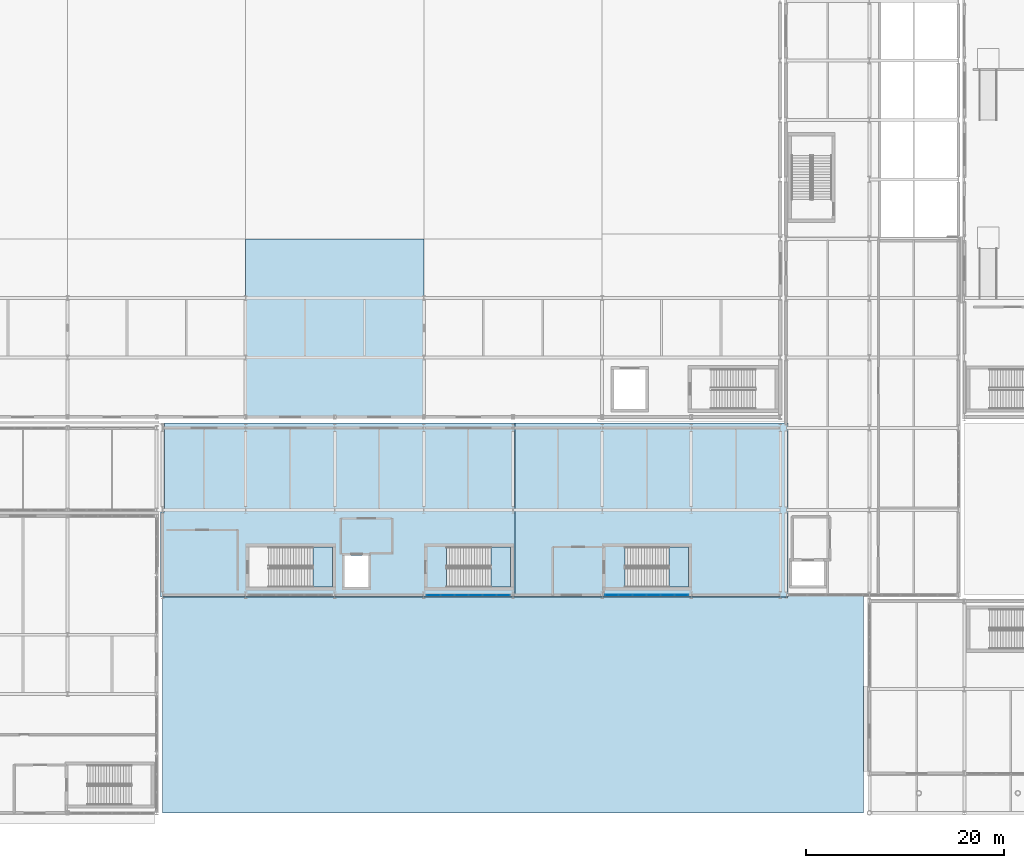
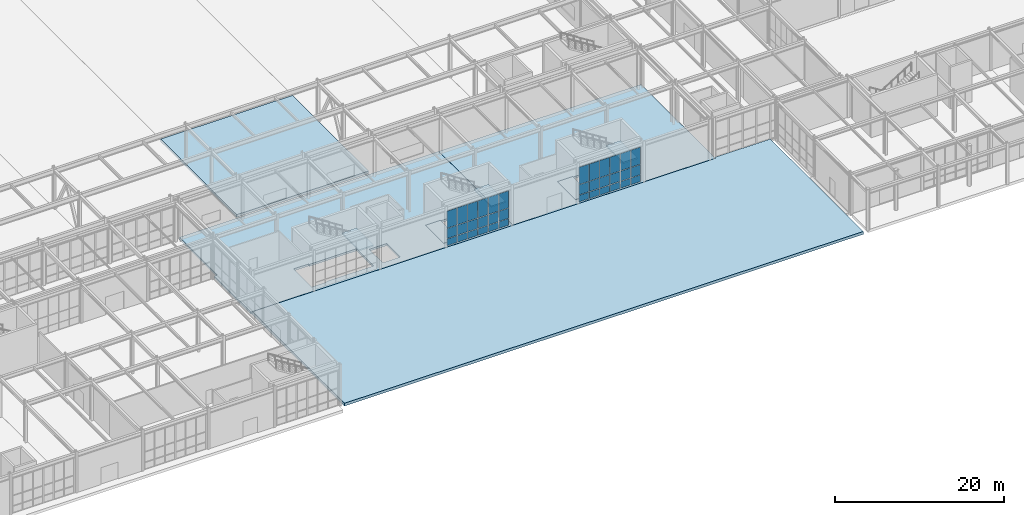
# One storey, part 108 of 146: 36 plates, 9 slabs, 5 elements without a shape of their own.
"""IFC4 building model written with IfcOpenShell, lengths in metres."""

import ifcopenshell
import ifcopenshell.guid

model = None  # the IFC model being written
_history = None  # IfcOwnerHistory: only IFC2X3 demands one
_inside = {}  # id of a spatial element -> (the spatial element, [elements in it])
_under = {}  # id of a project, library or spatial element -> (it, [spatial elements below it])
_declared = {}  # id of a project -> (the project, [libraries it declares])
_typed = {}  # id of a type object -> (the type object, [elements of that type])
_made_of = {}  # id of a material, layer set ... -> (it, [elements and type objects made of it])


def new_model(schema):
    """Start an empty IFC model of exactly this schema.

    Asked for "IFC4X3", IfcOpenShell would pick the latest addendum, in which some entities
    have other attributes; the version numbers below select the first issue.
    IFC2X3 requires an IfcOwnerHistory on every rooted entity: one is made here for all.
    """
    global model, _history
    if schema == "IFC4X3":
        model = ifcopenshell.file(schema_version=(4, 3, 0, 0))
    else:
        model = ifcopenshell.file(schema=schema)
    _inside.clear()
    _under.clear()
    _declared.clear()
    _typed.clear()
    _made_of.clear()
    _history = None
    if model.schema == "IFC2X3":
        org = make("IfcOrganization", Name="unknown")
        user = make(
            "IfcPersonAndOrganization",
            ThePerson=make("IfcPerson", FamilyName="unknown"),
            TheOrganization=org,
        )
        app = make(
            "IfcApplication",
            ApplicationDeveloper=org,
            Version="unknown",
            ApplicationFullName="unknown",
            ApplicationIdentifier="unknown",
        )
        _history = make(
            "IfcOwnerHistory",
            OwningUser=user,
            OwningApplication=app,
            ChangeAction="ADDED",
            CreationDate=0,
        )
    return model


def make(cls, **values):
    """One entity of the class cls with the attributes given. An attribute that is None is left unset."""
    return model.create_entity(
        cls, **{name: value for name, value in values.items() if value is not None}
    )


def rooted(cls, **values):
    """An entity with a GlobalId (a new one), such as an element, a storey or a relation."""
    return make(cls, GlobalId=ifcopenshell.guid.new(), OwnerHistory=_history, **values)


def si_unit(unit_type, name, prefix=None):
    """IfcSIUnit, for example si_unit("LENGTHUNIT", "METRE", prefix="MILLI")."""
    return make("IfcSIUnit", UnitType=unit_type, Prefix=prefix, Name=name)


def assignment(units):
    """IfcUnitAssignment: the units of a project."""
    return None if units is None else make("IfcUnitAssignment", Units=units)


def point(xyz):
    """IfcCartesianPoint."""
    return None if xyz is None else make("IfcCartesianPoint", Coordinates=xyz)


def direction(xyz):
    """IfcDirection."""
    return None if xyz is None else make("IfcDirection", DirectionRatios=xyz)


def frame(location, z_axis=None, x_axis=None):
    """IfcAxis2Placement3D, a coordinate frame: its origin and axes. An axis left out is left unset."""
    return make(
        "IfcAxis2Placement3D",
        Location=point(location),
        Axis=direction(z_axis),
        RefDirection=direction(x_axis),
    )


def frame_2d(location, x_axis=None):
    """IfcAxis2Placement2D, a coordinate frame in the plane: its origin and x axis."""
    return make(
        "IfcAxis2Placement2D", Location=point(location), RefDirection=direction(x_axis)
    )


def origin():
    """The frame at (0, 0, 0) with its axes left unset."""
    return frame((0.0, 0.0, 0.0))


def origin_2d():
    """The frame at (0, 0) in the plane with its x axis left unset."""
    return frame_2d((0.0, 0.0))


def place(relative_to, where):
    """IfcLocalPlacement: puts the frame where relative to a parent placement (None: the world)."""
    return make(
        "IfcLocalPlacement", PlacementRelTo=relative_to, RelativePlacement=where
    )


def context(
    kind, dimensions, precision=None, world=None, true_north=None, identifier=None
):
    """IfcGeometricRepresentationContext, for example the 3D "Model" context."""
    return make(
        "IfcGeometricRepresentationContext",
        ContextIdentifier=identifier,
        ContextType=kind,
        CoordinateSpaceDimension=dimensions,
        Precision=precision,
        WorldCoordinateSystem=world,
        TrueNorth=true_north,
    )


def subcontext(parent, identifier, kind, view, scale=None):
    """IfcGeometricRepresentationSubContext, for example "Body" below "Model"."""
    return make(
        "IfcGeometricRepresentationSubContext",
        ContextIdentifier=identifier,
        ContextType=kind,
        ParentContext=parent,
        TargetScale=scale,
        TargetView=view,
    )


def project(units=None, contexts=None):
    """IfcProject with its units and contexts."""
    return rooted(
        "IfcProject",
        Name="project",
        RepresentationContexts=contexts,
        UnitsInContext=assignment(units),
    )


def spatial(cls, under=None, at=None, **own):
    """A site, building, storey or space (cls), placed at a placement, below another one or the project."""
    s = rooted(cls, ObjectPlacement=at, **own)
    if under is not None:
        _under.setdefault(under.id(), (under, []))[1].append(s)
    return s


def polyline(points):
    """IfcPolyline through the points."""
    return make("IfcPolyline", Points=[point(p) for p in points])


def profile(cls, at=None, kind="AREA", **sizes):
    """A parametric profile (cls). Its sizes go by their IFC names, for example OverallWidth=200.0."""
    return make(cls, ProfileType=kind, Position=at, **sizes)


def rectangle(**sizes):
    """IfcRectangleProfileDef."""
    return profile("IfcRectangleProfileDef", **sizes)


def outline(outer, holes=None, kind="AREA"):
    """IfcArbitraryClosedProfileDef: a profile drawn as a closed curve; with holes, ...WithVoids."""
    if holes is None:
        return make("IfcArbitraryClosedProfileDef", ProfileType=kind, OuterCurve=outer)
    return make(
        "IfcArbitraryProfileDefWithVoids",
        ProfileType=kind,
        OuterCurve=outer,
        InnerCurves=holes,
    )


def extrude(swept, where, along, depth):
    """IfcExtrudedAreaSolid: the profile swept, set in the frame where, extruded along a direction by depth."""
    return make(
        "IfcExtrudedAreaSolid",
        SweptArea=swept,
        Position=where,
        ExtrudedDirection=direction(along),
        Depth=depth,
    )


def shape(context_of_items, identifier, shape_type, items):
    """IfcShapeRepresentation: the items that make up one representation, for example the "Body"."""
    return make(
        "IfcShapeRepresentation",
        ContextOfItems=context_of_items,
        RepresentationIdentifier=identifier,
        RepresentationType=shape_type,
        Items=items,
    )


def material(Name=None, Category=None):
    """IfcMaterial."""
    return make("IfcMaterial", Name=Name, Category=Category)


def layer(
    of_material, thickness, ventilated=None, Name=None, Category=None, Priority=None
):
    """IfcMaterialLayer: one layer of a wall or slab, of a material (None: an air gap)."""
    return make(
        "IfcMaterialLayer",
        Material=of_material,
        LayerThickness=thickness,
        IsVentilated=ventilated,
        Name=Name,
        Category=Category,
        Priority=Priority,
    )


def layer_set(layers, Name=None):
    """IfcMaterialLayerSet."""
    return make("IfcMaterialLayerSet", MaterialLayers=layers, LayerSetName=Name)


def made_of(thing, what):
    """Note that an element or type object is made of a material, layer set ...; save() writes the relation."""
    if what is not None:
        _made_of.setdefault(what.id(), (what, []))[1].append(thing)
    return thing


def type_object(cls, material=None, **own):
    """A type object (cls), such as IfcWallType, which elements share."""
    return made_of(rooted(cls, **own), material)


def element(
    cls,
    number,
    at=None,
    inside=None,
    cuts=None,
    type_object=None,
    material=None,
    context=None,
    identifier="Body",
    shape_type=None,
    held_by="IfcProductDefinitionShape",
    body=None,
    shapes=None,
    **own,
):
    """One element of the class cls, such as IfcWall. Its Tag is "e" and its number.

    at: its placement. inside: the storey or other place that contains it. cuts: it is an
    opening in that element (IfcRelVoidsElement). A single representation is given by context,
    identifier, shape_type and body (its items); several are given by shapes. held_by: the class
    of the entity that holds the representations. save() writes the other relations.
    """
    e = rooted(cls, Tag="e%d" % number, ObjectPlacement=at, **own)
    if body is not None:
        shapes = [shape(context, identifier, shape_type, body)]
    if shapes is not None:
        e.Representation = make(held_by, Representations=shapes)
    if inside is not None:
        _inside.setdefault(inside.id(), (inside, []))[1].append(e)
    if cuts is not None:
        rooted(
            "IfcRelVoidsElement", RelatingBuildingElement=cuts, RelatedOpeningElement=e
        )
    if type_object is not None:
        _typed.setdefault(type_object.id(), (type_object, []))[1].append(e)
    return made_of(e, material)


def aggregate(whole, parts):
    """IfcRelAggregates: a whole, such as a stair, and the parts it consists of."""
    return rooted("IfcRelAggregates", RelatingObject=whole, RelatedObjects=parts)


def save(model, path):
    """Write the relations noted so far, then the file.

    IfcRelAggregates (storeys below a building ...), IfcRelContainedInSpatialStructure (elements
    in a storey), IfcRelDefinesByType, IfcRelAssociatesMaterial and IfcRelDeclares: one each for
    every whole, place, type object, material and project.
    """
    for whole, parts in _under.values():
        aggregate(whole, parts)
    for where, things in _inside.values():
        rooted(
            "IfcRelContainedInSpatialStructure",
            RelatedElements=things,
            RelatingStructure=where,
        )
    for kind, things in _typed.values():
        rooted("IfcRelDefinesByType", RelatedObjects=things, RelatingType=kind)
    for what, things in _made_of.values():
        rooted("IfcRelAssociatesMaterial", RelatedObjects=things, RelatingMaterial=what)
    for by, libraries in _declared.values():
        rooted("IfcRelDeclares", RelatingContext=by, RelatedDefinitions=libraries)
    model.write(path)


model = new_model("IFC4")

# Units and contexts
model_context = context("Model", 3, precision=1e-05, world=origin(), true_north=direction((0.0, 1.0)))
body_context = subcontext(model_context, "Body", "Model", "MODEL_VIEW")
ifc_project = project(units=[si_unit("LENGTHUNIT", "METRE"), si_unit("AREAUNIT", "SQUARE_METRE"), si_unit("VOLUMEUNIT", "CUBIC_METRE"), si_unit("PLANEANGLEUNIT", "RADIAN"), si_unit("MASSUNIT", "GRAM", prefix="KILO")], contexts=[model_context])

# Site, building, storey
site_placement = place(None, origin())
site = spatial("IfcSite", under=ifc_project, at=site_placement, CompositionType="ELEMENT")
building_placement = place(site_placement, origin())
building = spatial("IfcBuilding", under=site, at=building_placement, Name="Kaldris Quays Convention Centre", CompositionType="ELEMENT")
storey_placement = place(building_placement, origin())
storey = spatial("IfcBuildingStorey", under=building, at=storey_placement, Name="L00", CompositionType="ELEMENT", Elevation=0.0)

# Curtain wall, plates
ifc_material_1 = material(Name="Anodized aluminium AW-6060 and triple glazing", Category="aluminium")
curtain_wall_type = type_object("IfcCurtainWallType", Name="UNITISED CURTAIN WALL CW04", PredefinedType="NOTDEFINED", material=ifc_material_1)
curtain_wall_1_placement = place(storey_placement, origin())
curtain_wall_1 = element("IfcCurtainWall", 1, at=curtain_wall_1_placement, inside=storey, type_object=curtain_wall_type, Name="L00 Unitised Curtain Wall CW04 105", PredefinedType="NOTDEFINED")
ifc_material_2 = material(Name="Triple low-E insulated glazing", Category="glass")
plate_type_1 = type_object("IfcPlateType", Name="CURTAIN GLAZING PANEL CWP1", PredefinedType="CURTAIN_PANEL", material=ifc_material_2)
plate_1_placement = place(storey_placement, frame((110.973388671875, 38.0, 0.06005859375), z_axis=(0.0, 0.0, 1.0), x_axis=(1.0, 0.0, 0.0)))
plate_1 = element("IfcPlate", 2, at=plate_1_placement, type_object=plate_type_1, Name="CW04 panel 1.1", PredefinedType="CURTAIN_PANEL", context=body_context, shape_type="SweptSolid", body=[
    extrude(rectangle(XDim=1.32666015625, YDim=0.029052734375, at=origin_2d()), origin(), (0.0, 0.0, 1.0), 0.9599609375),
])
plate_2_placement = place(storey_placement, frame((110.973388671875, 38.0, 1.080078125), z_axis=(0.0, 0.0, 1.0), x_axis=(1.0, 0.0, 0.0)))
plate_2 = element("IfcPlate", 3, at=plate_2_placement, type_object=plate_type_1, Name="CW04 panel 1.2", PredefinedType="CURTAIN_PANEL", context=body_context, shape_type="SweptSolid", body=[
    extrude(rectangle(XDim=1.32666015625, YDim=0.029052734375, at=origin_2d()), origin(), (0.0, 0.0, 1.0), 1.43896484375),
])
plate_3_placement = place(storey_placement, frame((110.973388671875, 38.0, 2.5791015625), z_axis=(0.0, 0.0, 1.0), x_axis=(1.0, 0.0, 0.0)))
plate_3 = element("IfcPlate", 4, at=plate_3_placement, type_object=plate_type_1, Name="CW04 panel 1.3", PredefinedType="CURTAIN_PANEL", context=body_context, shape_type="SweptSolid", body=[
    extrude(rectangle(XDim=1.32666015625, YDim=0.029052734375, at=origin_2d()), origin(), (0.0, 0.0, 1.0), 2.458984375),
])
plate_4_placement = place(storey_placement, frame((112.375, 38.0, 0.06005859375), z_axis=(0.0, 0.0, 1.0), x_axis=(1.0, 0.0, 0.0)))
plate_4 = element("IfcPlate", 5, at=plate_4_placement, type_object=plate_type_1, Name="CW04 panel 2.1", PredefinedType="CURTAIN_PANEL", context=body_context, shape_type="SweptSolid", body=[
    extrude(rectangle(XDim=1.356689453125, YDim=0.029052734375, at=origin_2d()), origin(), (0.0, 0.0, 1.0), 0.9599609375),
])
plate_5_placement = place(storey_placement, frame((112.375, 38.0, 1.080078125), z_axis=(0.0, 0.0, 1.0), x_axis=(1.0, 0.0, 0.0)))
plate_5 = element("IfcPlate", 6, at=plate_5_placement, type_object=plate_type_1, Name="CW04 panel 2.2", PredefinedType="CURTAIN_PANEL", context=body_context, shape_type="SweptSolid", body=[
    extrude(rectangle(XDim=1.356689453125, YDim=0.029052734375, at=origin_2d()), origin(), (0.0, 0.0, 1.0), 1.43896484375),
])
plate_6_placement = place(storey_placement, frame((112.375, 38.0, 2.5791015625), z_axis=(0.0, 0.0, 1.0), x_axis=(1.0, 0.0, 0.0)))
plate_6 = element("IfcPlate", 7, at=plate_6_placement, type_object=plate_type_1, Name="CW04 panel 2.3", PredefinedType="CURTAIN_PANEL", context=body_context, shape_type="SweptSolid", body=[
    extrude(rectangle(XDim=1.356689453125, YDim=0.029052734375, at=origin_2d()), origin(), (0.0, 0.0, 1.0), 2.458984375),
])
plate_7_placement = place(storey_placement, frame((113.791748046875, 38.0, 0.06005859375), z_axis=(0.0, 0.0, 1.0), x_axis=(1.0, 0.0, 0.0)))
plate_7 = element("IfcPlate", 8, at=plate_7_placement, type_object=plate_type_1, Name="CW04 panel 3.1", PredefinedType="CURTAIN_PANEL", context=body_context, shape_type="SweptSolid", body=[
    extrude(rectangle(XDim=1.356689453125, YDim=0.029052734375, at=origin_2d()), origin(), (0.0, 0.0, 1.0), 0.9599609375),
])
plate_8_placement = place(storey_placement, frame((113.791748046875, 38.0, 1.080078125), z_axis=(0.0, 0.0, 1.0), x_axis=(1.0, 0.0, 0.0)))
plate_8 = element("IfcPlate", 9, at=plate_8_placement, type_object=plate_type_1, Name="CW04 panel 3.2", PredefinedType="CURTAIN_PANEL", context=body_context, shape_type="SweptSolid", body=[
    extrude(rectangle(XDim=1.356689453125, YDim=0.029052734375, at=origin_2d()), origin(), (0.0, 0.0, 1.0), 1.43896484375),
])
plate_9_placement = place(storey_placement, frame((113.791748046875, 38.0, 2.5791015625), z_axis=(0.0, 0.0, 1.0), x_axis=(1.0, 0.0, 0.0)))
plate_9 = element("IfcPlate", 10, at=plate_9_placement, type_object=plate_type_1, Name="CW04 panel 3.3", PredefinedType="CURTAIN_PANEL", context=body_context, shape_type="SweptSolid", body=[
    extrude(rectangle(XDim=1.356689453125, YDim=0.029052734375, at=origin_2d()), origin(), (0.0, 0.0, 1.0), 2.458984375),
])
plate_10_placement = place(storey_placement, frame((115.208251953125, 38.0, 0.06005859375), z_axis=(0.0, 0.0, 1.0), x_axis=(1.0, 0.0, 0.0)))
plate_10 = element("IfcPlate", 11, at=plate_10_placement, type_object=plate_type_1, Name="CW04 panel 4.1", PredefinedType="CURTAIN_PANEL", context=body_context, shape_type="SweptSolid", body=[
    extrude(rectangle(XDim=1.356689453125, YDim=0.029052734375, at=origin_2d()), origin(), (0.0, 0.0, 1.0), 0.9599609375),
])
plate_11_placement = place(storey_placement, frame((115.208251953125, 38.0, 1.080078125), z_axis=(0.0, 0.0, 1.0), x_axis=(1.0, 0.0, 0.0)))
plate_11 = element("IfcPlate", 12, at=plate_11_placement, type_object=plate_type_1, Name="CW04 panel 4.2", PredefinedType="CURTAIN_PANEL", context=body_context, shape_type="SweptSolid", body=[
    extrude(rectangle(XDim=1.356689453125, YDim=0.029052734375, at=origin_2d()), origin(), (0.0, 0.0, 1.0), 1.43896484375),
])
plate_12_placement = place(storey_placement, frame((115.208251953125, 38.0, 2.5791015625), z_axis=(0.0, 0.0, 1.0), x_axis=(1.0, 0.0, 0.0)))
plate_12 = element("IfcPlate", 13, at=plate_12_placement, type_object=plate_type_1, Name="CW04 panel 4.3", PredefinedType="CURTAIN_PANEL", context=body_context, shape_type="SweptSolid", body=[
    extrude(rectangle(XDim=1.356689453125, YDim=0.029052734375, at=origin_2d()), origin(), (0.0, 0.0, 1.0), 2.458984375),
])
plate_13_placement = place(storey_placement, frame((116.625, 38.0, 0.06005859375), z_axis=(0.0, 0.0, 1.0), x_axis=(1.0, 0.0, 0.0)))
plate_13 = element("IfcPlate", 14, at=plate_13_placement, type_object=plate_type_1, Name="CW04 panel 5.1", PredefinedType="CURTAIN_PANEL", context=body_context, shape_type="SweptSolid", body=[
    extrude(rectangle(XDim=1.356689453125, YDim=0.029052734375, at=origin_2d()), origin(), (0.0, 0.0, 1.0), 0.9599609375),
])
plate_14_placement = place(storey_placement, frame((116.625, 38.0, 1.080078125), z_axis=(0.0, 0.0, 1.0), x_axis=(1.0, 0.0, 0.0)))
plate_14 = element("IfcPlate", 15, at=plate_14_placement, type_object=plate_type_1, Name="CW04 panel 5.2", PredefinedType="CURTAIN_PANEL", context=body_context, shape_type="SweptSolid", body=[
    extrude(rectangle(XDim=1.356689453125, YDim=0.029052734375, at=origin_2d()), origin(), (0.0, 0.0, 1.0), 1.43896484375),
])
plate_15_placement = place(storey_placement, frame((116.625, 38.0, 2.5791015625), z_axis=(0.0, 0.0, 1.0), x_axis=(1.0, 0.0, 0.0)))
plate_15 = element("IfcPlate", 16, at=plate_15_placement, type_object=plate_type_1, Name="CW04 panel 5.3", PredefinedType="CURTAIN_PANEL", context=body_context, shape_type="SweptSolid", body=[
    extrude(rectangle(XDim=1.356689453125, YDim=0.029052734375, at=origin_2d()), origin(), (0.0, 0.0, 1.0), 2.458984375),
])
plate_16_placement = place(storey_placement, frame((118.026611328125, 38.0, 0.06005859375), z_axis=(0.0, 0.0, 1.0), x_axis=(1.0, 0.0, 0.0)))
plate_16 = element("IfcPlate", 17, at=plate_16_placement, type_object=plate_type_1, Name="CW04 panel 6.1", PredefinedType="CURTAIN_PANEL", context=body_context, shape_type="SweptSolid", body=[
    extrude(rectangle(XDim=1.32666015625, YDim=0.029052734375, at=origin_2d()), origin(), (0.0, 0.0, 1.0), 0.9599609375),
])
plate_17_placement = place(storey_placement, frame((118.026611328125, 38.0, 1.080078125), z_axis=(0.0, 0.0, 1.0), x_axis=(1.0, 0.0, 0.0)))
plate_17 = element("IfcPlate", 18, at=plate_17_placement, type_object=plate_type_1, Name="CW04 panel 6.2", PredefinedType="CURTAIN_PANEL", context=body_context, shape_type="SweptSolid", body=[
    extrude(rectangle(XDim=1.32666015625, YDim=0.029052734375, at=origin_2d()), origin(), (0.0, 0.0, 1.0), 1.43896484375),
])
plate_18_placement = place(storey_placement, frame((118.026611328125, 38.0, 2.5791015625), z_axis=(0.0, 0.0, 1.0), x_axis=(1.0, 0.0, 0.0)))
plate_18 = element("IfcPlate", 19, at=plate_18_placement, type_object=plate_type_1, Name="CW04 panel 6.3", PredefinedType="CURTAIN_PANEL", context=body_context, shape_type="SweptSolid", body=[
    extrude(rectangle(XDim=1.32666015625, YDim=0.029052734375, at=origin_2d()), origin(), (0.0, 0.0, 1.0), 2.458984375),
])
aggregate(curtain_wall_1, [plate_1, plate_2, plate_3, plate_4, plate_5, plate_6, plate_7, plate_8, plate_9, plate_10, plate_11, plate_12, plate_13, plate_14, plate_15, plate_16, plate_17, plate_18])

curtain_wall_2_placement = place(storey_placement, origin())
curtain_wall_2 = element("IfcCurtainWall", 20, at=curtain_wall_2_placement, inside=storey, type_object=curtain_wall_type, Name="L00 Unitised Curtain Wall CW04 106", PredefinedType="NOTDEFINED")
plate_type_2 = type_object("IfcPlateType", Name="CURTAIN GLAZING PANEL CWP2", PredefinedType="CURTAIN_PANEL", material=ifc_material_2)
plate_19_placement = place(storey_placement, frame((128.973388671875, 38.0, 0.06005859375), z_axis=(0.0, 0.0, 1.0), x_axis=(1.0, 0.0, 0.0)))
plate_19 = element("IfcPlate", 21, at=plate_19_placement, type_object=plate_type_2, Name="CW04 panel 1.1", PredefinedType="CURTAIN_PANEL", context=body_context, shape_type="SweptSolid", body=[
    extrude(rectangle(XDim=1.32666015625, YDim=0.033935546875, at=origin_2d()), origin(), (0.0, 0.0, 1.0), 0.9599609375),
])
plate_20_placement = place(storey_placement, frame((128.973388671875, 38.0, 1.080078125), z_axis=(0.0, 0.0, 1.0), x_axis=(1.0, 0.0, 0.0)))
plate_20 = element("IfcPlate", 22, at=plate_20_placement, type_object=plate_type_2, Name="CW04 panel 1.2", PredefinedType="CURTAIN_PANEL", context=body_context, shape_type="SweptSolid", body=[
    extrude(rectangle(XDim=1.32666015625, YDim=0.033935546875, at=origin_2d()), origin(), (0.0, 0.0, 1.0), 1.43896484375),
])
plate_21_placement = place(storey_placement, frame((128.973388671875, 38.0, 2.5791015625), z_axis=(0.0, 0.0, 1.0), x_axis=(1.0, 0.0, 0.0)))
plate_21 = element("IfcPlate", 23, at=plate_21_placement, type_object=plate_type_2, Name="CW04 panel 1.3", PredefinedType="CURTAIN_PANEL", context=body_context, shape_type="SweptSolid", body=[
    extrude(rectangle(XDim=1.32666015625, YDim=0.033935546875, at=origin_2d()), origin(), (0.0, 0.0, 1.0), 2.458984375),
])
plate_22_placement = place(storey_placement, frame((130.375, 38.0, 0.06005859375), z_axis=(0.0, 0.0, 1.0), x_axis=(1.0, 0.0, 0.0)))
plate_22 = element("IfcPlate", 24, at=plate_22_placement, type_object=plate_type_2, Name="CW04 panel 2.1", PredefinedType="CURTAIN_PANEL", context=body_context, shape_type="SweptSolid", body=[
    extrude(rectangle(XDim=1.356689453125, YDim=0.033935546875, at=origin_2d()), origin(), (0.0, 0.0, 1.0), 0.9599609375),
])
plate_23_placement = place(storey_placement, frame((130.375, 38.0, 1.080078125), z_axis=(0.0, 0.0, 1.0), x_axis=(1.0, 0.0, 0.0)))
plate_23 = element("IfcPlate", 25, at=plate_23_placement, type_object=plate_type_2, Name="CW04 panel 2.2", PredefinedType="CURTAIN_PANEL", context=body_context, shape_type="SweptSolid", body=[
    extrude(rectangle(XDim=1.356689453125, YDim=0.033935546875, at=origin_2d()), origin(), (0.0, 0.0, 1.0), 1.43896484375),
])
plate_24_placement = place(storey_placement, frame((130.375, 38.0, 2.5791015625), z_axis=(0.0, 0.0, 1.0), x_axis=(1.0, 0.0, 0.0)))
plate_24 = element("IfcPlate", 26, at=plate_24_placement, type_object=plate_type_2, Name="CW04 panel 2.3", PredefinedType="CURTAIN_PANEL", context=body_context, shape_type="SweptSolid", body=[
    extrude(rectangle(XDim=1.356689453125, YDim=0.033935546875, at=origin_2d()), origin(), (0.0, 0.0, 1.0), 2.458984375),
])
plate_25_placement = place(storey_placement, frame((131.791748046875, 38.0, 0.06005859375), z_axis=(0.0, 0.0, 1.0), x_axis=(1.0, 0.0, 0.0)))
plate_25 = element("IfcPlate", 27, at=plate_25_placement, type_object=plate_type_2, Name="CW04 panel 3.1", PredefinedType="CURTAIN_PANEL", context=body_context, shape_type="SweptSolid", body=[
    extrude(rectangle(XDim=1.356689453125, YDim=0.033935546875, at=origin_2d()), origin(), (0.0, 0.0, 1.0), 0.9599609375),
])
plate_26_placement = place(storey_placement, frame((131.791748046875, 38.0, 1.080078125), z_axis=(0.0, 0.0, 1.0), x_axis=(1.0, 0.0, 0.0)))
plate_26 = element("IfcPlate", 28, at=plate_26_placement, type_object=plate_type_2, Name="CW04 panel 3.2", PredefinedType="CURTAIN_PANEL", context=body_context, shape_type="SweptSolid", body=[
    extrude(rectangle(XDim=1.356689453125, YDim=0.033935546875, at=origin_2d()), origin(), (0.0, 0.0, 1.0), 1.43896484375),
])
plate_27_placement = place(storey_placement, frame((131.791748046875, 38.0, 2.5791015625), z_axis=(0.0, 0.0, 1.0), x_axis=(1.0, 0.0, 0.0)))
plate_27 = element("IfcPlate", 29, at=plate_27_placement, type_object=plate_type_2, Name="CW04 panel 3.3", PredefinedType="CURTAIN_PANEL", context=body_context, shape_type="SweptSolid", body=[
    extrude(rectangle(XDim=1.356689453125, YDim=0.033935546875, at=origin_2d()), origin(), (0.0, 0.0, 1.0), 2.458984375),
])
plate_28_placement = place(storey_placement, frame((133.208251953125, 38.0, 0.06005859375), z_axis=(0.0, 0.0, 1.0), x_axis=(1.0, 0.0, 0.0)))
plate_28 = element("IfcPlate", 30, at=plate_28_placement, type_object=plate_type_2, Name="CW04 panel 4.1", PredefinedType="CURTAIN_PANEL", context=body_context, shape_type="SweptSolid", body=[
    extrude(rectangle(XDim=1.356689453125, YDim=0.033935546875, at=origin_2d()), origin(), (0.0, 0.0, 1.0), 0.9599609375),
])
plate_29_placement = place(storey_placement, frame((133.208251953125, 38.0, 1.080078125), z_axis=(0.0, 0.0, 1.0), x_axis=(1.0, 0.0, 0.0)))
plate_29 = element("IfcPlate", 31, at=plate_29_placement, type_object=plate_type_2, Name="CW04 panel 4.2", PredefinedType="CURTAIN_PANEL", context=body_context, shape_type="SweptSolid", body=[
    extrude(rectangle(XDim=1.356689453125, YDim=0.033935546875, at=origin_2d()), origin(), (0.0, 0.0, 1.0), 1.43896484375),
])
plate_30_placement = place(storey_placement, frame((133.208251953125, 38.0, 2.5791015625), z_axis=(0.0, 0.0, 1.0), x_axis=(1.0, 0.0, 0.0)))
plate_30 = element("IfcPlate", 32, at=plate_30_placement, type_object=plate_type_2, Name="CW04 panel 4.3", PredefinedType="CURTAIN_PANEL", context=body_context, shape_type="SweptSolid", body=[
    extrude(rectangle(XDim=1.356689453125, YDim=0.033935546875, at=origin_2d()), origin(), (0.0, 0.0, 1.0), 2.458984375),
])
plate_31_placement = place(storey_placement, frame((134.625, 38.0, 0.06005859375), z_axis=(0.0, 0.0, 1.0), x_axis=(1.0, 0.0, 0.0)))
plate_31 = element("IfcPlate", 33, at=plate_31_placement, type_object=plate_type_2, Name="CW04 panel 5.1", PredefinedType="CURTAIN_PANEL", context=body_context, shape_type="SweptSolid", body=[
    extrude(rectangle(XDim=1.356689453125, YDim=0.033935546875, at=origin_2d()), origin(), (0.0, 0.0, 1.0), 0.9599609375),
])
plate_32_placement = place(storey_placement, frame((134.625, 38.0, 1.080078125), z_axis=(0.0, 0.0, 1.0), x_axis=(1.0, 0.0, 0.0)))
plate_32 = element("IfcPlate", 34, at=plate_32_placement, type_object=plate_type_2, Name="CW04 panel 5.2", PredefinedType="CURTAIN_PANEL", context=body_context, shape_type="SweptSolid", body=[
    extrude(rectangle(XDim=1.356689453125, YDim=0.033935546875, at=origin_2d()), origin(), (0.0, 0.0, 1.0), 1.43896484375),
])
plate_33_placement = place(storey_placement, frame((134.625, 38.0, 2.5791015625), z_axis=(0.0, 0.0, 1.0), x_axis=(1.0, 0.0, 0.0)))
plate_33 = element("IfcPlate", 35, at=plate_33_placement, type_object=plate_type_2, Name="CW04 panel 5.3", PredefinedType="CURTAIN_PANEL", context=body_context, shape_type="SweptSolid", body=[
    extrude(rectangle(XDim=1.356689453125, YDim=0.033935546875, at=origin_2d()), origin(), (0.0, 0.0, 1.0), 2.458984375),
])
plate_34_placement = place(storey_placement, frame((136.026611328125, 38.0, 0.06005859375), z_axis=(0.0, 0.0, 1.0), x_axis=(1.0, 0.0, 0.0)))
plate_34 = element("IfcPlate", 36, at=plate_34_placement, type_object=plate_type_2, Name="CW04 panel 6.1", PredefinedType="CURTAIN_PANEL", context=body_context, shape_type="SweptSolid", body=[
    extrude(rectangle(XDim=1.32666015625, YDim=0.033935546875, at=origin_2d()), origin(), (0.0, 0.0, 1.0), 0.9599609375),
])
plate_35_placement = place(storey_placement, frame((136.026611328125, 38.0, 1.080078125), z_axis=(0.0, 0.0, 1.0), x_axis=(1.0, 0.0, 0.0)))
plate_35 = element("IfcPlate", 37, at=plate_35_placement, type_object=plate_type_2, Name="CW04 panel 6.2", PredefinedType="CURTAIN_PANEL", context=body_context, shape_type="SweptSolid", body=[
    extrude(rectangle(XDim=1.32666015625, YDim=0.033935546875, at=origin_2d()), origin(), (0.0, 0.0, 1.0), 1.43896484375),
])
plate_36_placement = place(storey_placement, frame((136.026611328125, 38.0, 2.5791015625), z_axis=(0.0, 0.0, 1.0), x_axis=(1.0, 0.0, 0.0)))
plate_36 = element("IfcPlate", 38, at=plate_36_placement, type_object=plate_type_2, Name="CW04 panel 6.3", PredefinedType="CURTAIN_PANEL", context=body_context, shape_type="SweptSolid", body=[
    extrude(rectangle(XDim=1.32666015625, YDim=0.033935546875, at=origin_2d()), origin(), (0.0, 0.0, 1.0), 2.458984375),
])
aggregate(curtain_wall_2, [plate_19, plate_20, plate_21, plate_22, plate_23, plate_24, plate_25, plate_26, plate_27, plate_28, plate_29, plate_30, plate_31, plate_32, plate_33, plate_34, plate_35, plate_36])

# Stair, slab
ifc_material_3 = material(Name="Concrete C35/45", Category="concrete")
stair_type = type_object("IfcStairType", Name="DOGLEG ESCAPE STAIR STF2", PredefinedType="TWO_STRAIGHT_RUN_STAIR", material=ifc_material_3)
stair_1_placement = place(storey_placement, origin())
stair_1 = element("IfcStair", 39, at=stair_1_placement, inside=storey, type_object=stair_type, Name="L00 Escape Stair ST11", PredefinedType="TWO_STRAIGHT_RUN_STAIR")
ifc_layer_1 = layer(ifc_material_3, 0.205078125)
ifc_layer_set_1 = layer_set([ifc_layer_1], Name="Concrete C35/45")
slab_type_1 = type_object("IfcSlabType", Name="STAIR LANDING SLAB LS01", PredefinedType="LANDING", material=ifc_layer_set_1)
slab_1_placement = place(storey_placement, frame((0.0, 0.0, 2.794921875)))
slab_1 = element("IfcSlab", 40, at=slab_1_placement, type_object=slab_type_1, Name="STF2 landing 1", PredefinedType="LANDING", context=body_context, shape_type="SweptSolid", body=[
    extrude(outline(polyline([(98.780029296875, 38.800048828125), (100.75, 38.800048828125), (100.75, 42.85009765625), (98.780029296875, 42.85009765625), (98.780029296875, 38.800048828125)])), origin(), (0.0, 0.0, 1.0), 0.205078125),
])
aggregate(stair_1, [slab_1])

stair_2_placement = place(storey_placement, origin())
stair_2 = element("IfcStair", 41, at=stair_2_placement, inside=storey, type_object=stair_type, Name="L00 Escape Stair ST12", PredefinedType="TWO_STRAIGHT_RUN_STAIR")
slab_2_placement = place(storey_placement, frame((0.0, 0.0, 2.794921875)))
slab_2 = element("IfcSlab", 42, at=slab_2_placement, type_object=slab_type_1, Name="STF2 landing 1", PredefinedType="LANDING", context=body_context, shape_type="SweptSolid", body=[
    extrude(outline(polyline([(134.780029296875, 38.800048828125), (136.75, 38.800048828125), (136.75, 42.85009765625), (134.780029296875, 42.85009765625), (134.780029296875, 38.800048828125)])), origin(), (0.0, 0.0, 1.0), 0.205078125),
])
aggregate(stair_2, [slab_2])

stair_3_placement = place(storey_placement, origin())
stair_3 = element("IfcStair", 43, at=stair_3_placement, inside=storey, type_object=stair_type, Name="L00 Escape Stair ST13", PredefinedType="TWO_STRAIGHT_RUN_STAIR")
slab_3_placement = place(storey_placement, frame((0.0, 0.0, 2.794921875)))
slab_3 = element("IfcSlab", 44, at=slab_3_placement, type_object=slab_type_1, Name="STF2 landing 1", PredefinedType="LANDING", context=body_context, shape_type="SweptSolid", body=[
    extrude(outline(polyline([(116.780029296875, 38.800048828125), (118.75, 38.800048828125), (118.75, 42.85009765625), (116.780029296875, 42.85009765625), (116.780029296875, 38.800048828125)])), origin(), (0.0, 0.0, 1.0), 0.205078125),
])
aggregate(stair_3, [slab_3])

# Slabs
ifc_layer_2 = layer(ifc_material_3, 0.39990234375)
ifc_layer_set_2 = layer_set([ifc_layer_2], Name="Concrete C35/45")
slab_type_2 = type_object("IfcSlabType", Name="STRUCTURAL SLAB BS03", PredefinedType="BASESLAB", material=ifc_layer_set_2)
slab_4_placement = place(storey_placement, frame((0.0, 0.0, -0.39990234375)))
element("IfcSlab", 45, at=slab_4_placement, inside=storey, type_object=slab_type_2, Name="L00 Rhine Promenade Forecourt Deck SLAB-L00-FORECOURT", PredefinedType="BASESLAB", context=body_context, shape_type="SweptSolid", body=[
    extrude(outline(polyline([(154.39990234375, 38.0), (154.39990234375, 16.0), (83.60009765625, 16.0), (83.60009765625, 37.798095703125), (146.800048828125, 37.798095703125), (146.802001953125, 38.0), (154.39990234375, 38.0)])), origin(), (0.0, 0.0, 1.0), 0.39990234375),
])
ifc_layer_3 = layer(ifc_material_3, 0.364990234375)
ifc_layer_set_3 = layer_set([ifc_layer_3], Name="Concrete C35/45")
slab_type_3 = type_object("IfcSlabType", Name="STRUCTURAL SLAB FS01", PredefinedType="FLOOR", material=ifc_layer_set_3)
slab_5_placement = place(storey_placement, frame((0.0, 0.0, -0.364990234375)))
element("IfcSlab", 46, at=slab_5_placement, inside=storey, type_object=slab_type_3, Name="L00 V1 Heavy Slab South 5 SLAB-L00-V1S-5", PredefinedType="FLOOR", context=body_context, shape_type="SweptSolid", body=[
    extrude(outline(polyline([(110.0, 74.0), (110.0, 56.0), (92.001953125, 56.0), (92.001953125, 74.0), (110.0, 74.0)])), origin(), (0.0, 0.0, 1.0), 0.364990234375),
])
ifc_layer_4 = layer(ifc_material_3, 0.294921875)
ifc_layer_set_4 = layer_set([ifc_layer_4], Name="Concrete C35/45")
slab_type_4 = type_object("IfcSlabType", Name="STRUCTURAL SLAB FS04", PredefinedType="FLOOR", material=ifc_layer_set_4)
slab_6_placement = place(storey_placement, frame((0.0, 0.0, -0.294921875)))
element("IfcSlab", 47, at=slab_6_placement, inside=storey, type_object=slab_type_4, Name="L00 V4 South Concourse Slab A SLAB-L00-V4SA", PredefinedType="FLOOR", context=body_context, shape_type="SweptSolid", body=[
    extrude(outline(polyline([(119.199951171875, 55.375), (119.199951171875, 37.800048828125), (83.39990234375, 37.800048828125), (83.39990234375, 46.39794921875), (83.802001953125, 46.39990234375), (83.802001953125, 55.375), (119.199951171875, 55.375)]), holes=[polyline([(104.39990234375, 38.800048828125), (104.39990234375, 42.0), (102.0, 42.0), (102.0, 38.800048828125), (104.39990234375, 38.800048828125)]), polyline([(92.229248046875, 38.67822265625), (94.30029296875, 38.677978515625), (94.302001953125, 38.800048828125), (100.75, 38.800048828125), (100.75, 42.85009765625), (94.302001953125, 42.85009765625), (94.30029296875, 42.971923828125), (92.22900390625, 42.9716796875), (92.229248046875, 38.67822265625)]), polyline([(112.3017578125, 38.67919921875), (112.302001953125, 38.800048828125), (118.75, 38.800048828125), (118.75, 42.85009765625), (112.302001953125, 42.85009765625), (112.30029296875, 42.971923828125), (110.22900390625, 42.9716796875), (110.228271484375, 38.67919921875), (112.3017578125, 38.67919921875)])]), origin(), (0.0, 0.0, 1.0), 0.294921875),
])
slab_7_placement = place(storey_placement, frame((0.0, 0.0, -0.294921875)))
element("IfcSlab", 48, at=slab_7_placement, inside=storey, type_object=slab_type_4, Name="L00 V4 South Concourse Slab B SLAB-L00-V4SB", PredefinedType="FLOOR", context=body_context, shape_type="SweptSolid", body=[
    extrude(outline(polyline([(146.800048828125, 55.375), (146.800048828125, 37.800048828125), (119.201904296875, 37.800048828125), (119.201904296875, 55.375), (146.800048828125, 55.375)]), holes=[polyline([(128.22802734375, 42.970703125), (128.22900390625, 38.67822265625), (130.30029296875, 38.677978515625), (130.302001953125, 38.800048828125), (136.75, 38.800048828125), (136.75, 42.85009765625), (130.302001953125, 42.85009765625), (130.30029296875, 42.971923828125), (128.22802734375, 42.970703125)])]), origin(), (0.0, 0.0, 1.0), 0.294921875),
])
ifc_layer_5 = layer(ifc_material_3, 0.27490234375)
ifc_layer_set_5 = layer_set([ifc_layer_5], Name="Concrete C35/45")
slab_type_5 = type_object("IfcSlabType", Name="STRUCTURAL SLAB FS05", PredefinedType="FLOOR", material=ifc_layer_set_5)
slab_8_placement = place(storey_placement, frame((0.0, 0.0, -0.27490234375)))
element("IfcSlab", 49, at=slab_8_placement, inside=storey, type_object=slab_type_5, Name="L00 ST12 Core Floor Landing Slab", PredefinedType="FLOOR", context=body_context, shape_type="SweptSolid", body=[
    extrude(outline(polyline([(128.22998046875, 38.679931640625), (130.300048828125, 38.679931640625), (130.300048828125, 42.969970703125), (128.22998046875, 42.969970703125), (128.22998046875, 38.679931640625)])), origin(), (0.0, 0.0, 1.0), 0.27490234375),
])
slab_9_placement = place(storey_placement, frame((0.0, 0.0, -0.27490234375)))
element("IfcSlab", 50, at=slab_9_placement, inside=storey, type_object=slab_type_5, Name="L00 ST13 Core Floor Landing Slab", PredefinedType="FLOOR", context=body_context, shape_type="SweptSolid", body=[
    extrude(outline(polyline([(110.22998046875, 38.679931640625), (112.300048828125, 38.679931640625), (112.300048828125, 42.969970703125), (110.22998046875, 42.969970703125), (110.22998046875, 38.679931640625)])), origin(), (0.0, 0.0, 1.0), 0.27490234375),
])

save(model, "model.ifc")
